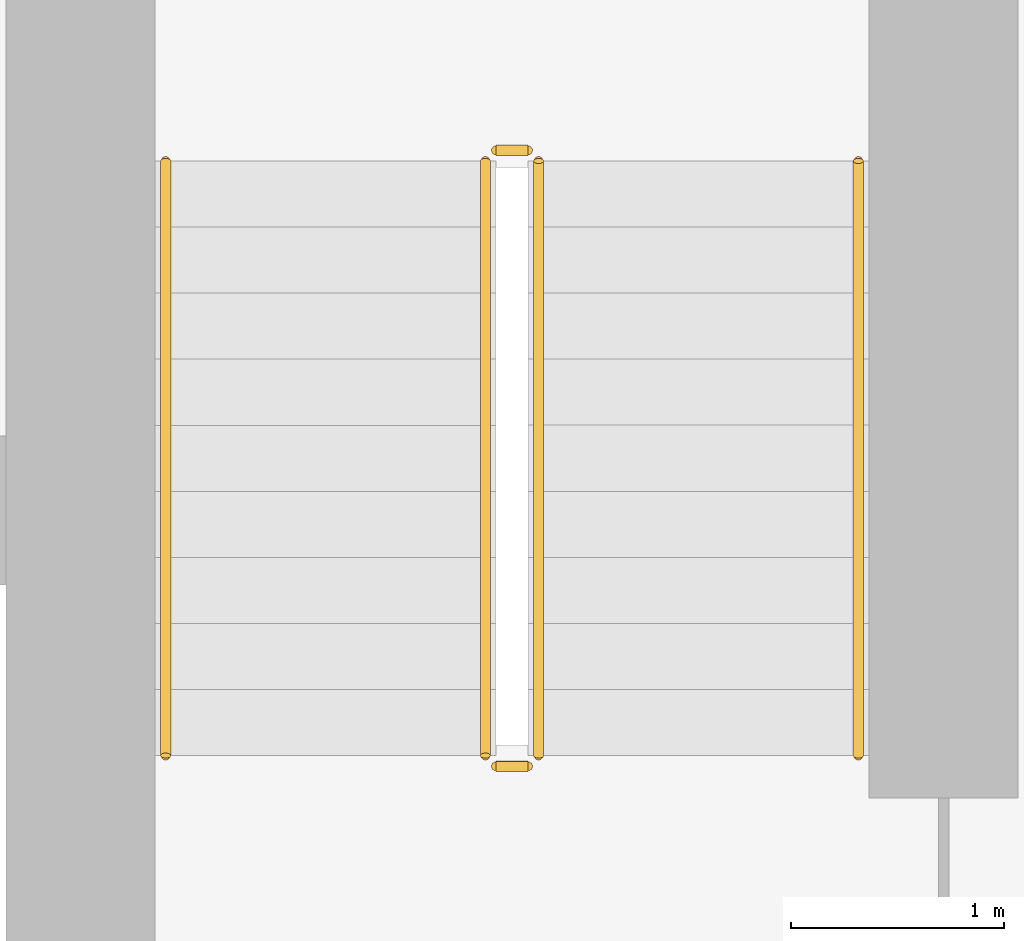
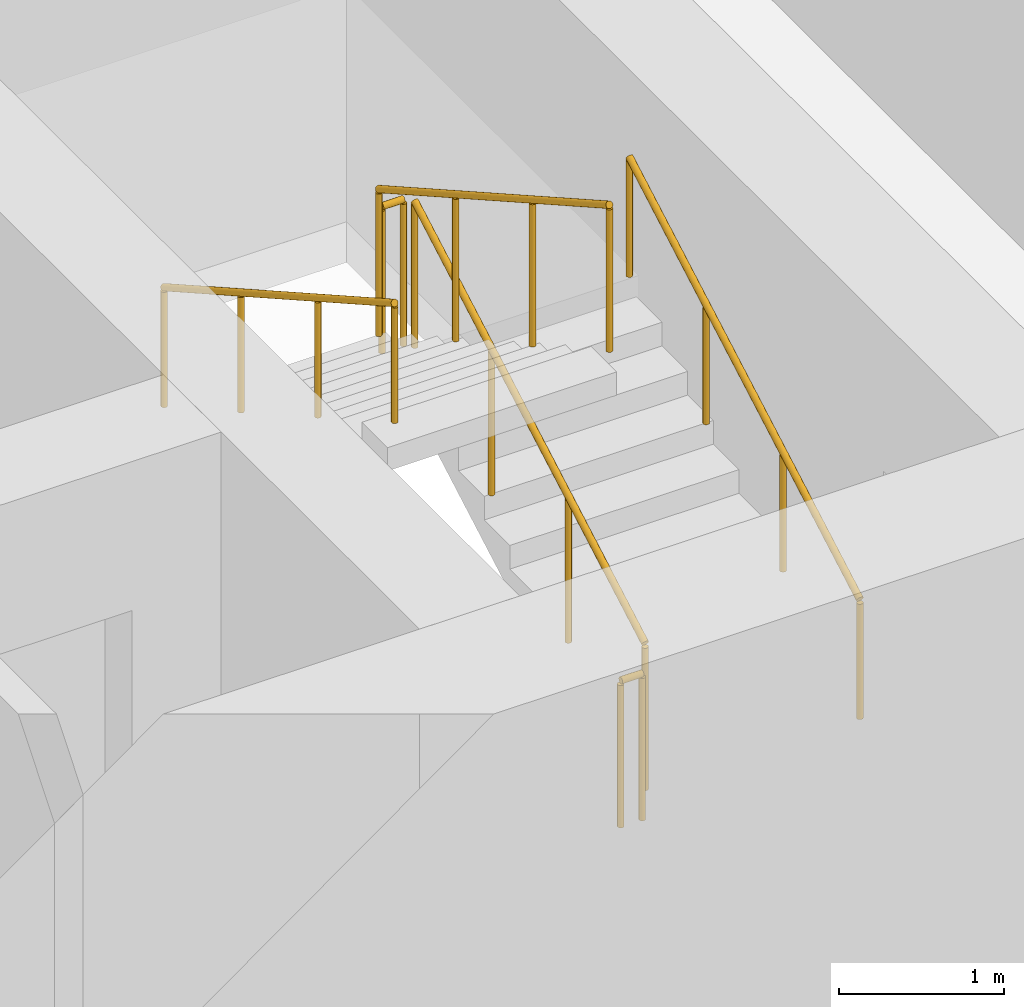
# One storey, part 19 of 21: 6 railings.
"""IFC4 building model written with IfcOpenShell, lengths in metres."""

from ifc_helpers import new_model, si_unit, direction, frame, origin, origin_2d, place, context, subcontext, project, spatial, circle, extrude, material, type_object, element, save


model = new_model("IFC4")

# Units and contexts
model_context = context("Model", 3, precision=1e-05, world=origin(), true_north=direction((0.0, 1.0)))
body_context = subcontext(model_context, "Body", "Model", "MODEL_VIEW")
ifc_project = project(units=[si_unit("LENGTHUNIT", "METRE"), si_unit("AREAUNIT", "SQUARE_METRE"), si_unit("VOLUMEUNIT", "CUBIC_METRE"), si_unit("PLANEANGLEUNIT", "RADIAN"), si_unit("MASSUNIT", "GRAM", prefix="KILO")], contexts=[model_context])

# Site, building, storey
site_placement = place(None, origin())
site = spatial("IfcSite", under=ifc_project, at=site_placement, CompositionType="ELEMENT")
building_placement = place(site_placement, origin())
building = spatial("IfcBuilding", under=site, at=building_placement, Name="Madar Terraces", CompositionType="ELEMENT")
storey_placement = place(building_placement, frame((0.0, 0.0, 46.89990234375)))
storey = spatial("IfcBuildingStorey", under=building, at=storey_placement, Name="L11", CompositionType="ELEMENT", Elevation=46.89990234375)

# Railings
ifc_material_1 = material(Name="Stainless steel railing", Category="steel")
railing_type_1 = type_object("IfcRailingType", Name="Stair guard 1100", PredefinedType="GUARDRAIL", material=ifc_material_1)
railing_1_placement = place(storey_placement, frame((41.449951171875, 17.60009765625, 0.175048828125)))
element("IfcRailing", 1, at=railing_1_placement, inside=storey, type_object=railing_type_1, Name="L11 ST3 stair guard 1", PredefinedType="GUARDRAIL", context=body_context, shape_type="SweptSolid", body=[
    extrude(circle(Radius=0.02392578125, at=origin_2d()), frame((0.0, 0.0, 1.076171875), z_axis=(0.0, 0.870815363784, 0.491610213684), x_axis=(-1.0, 0.0, 0.0)), (0.0, 0.0, 1.0), 3.20361328125),
    extrude(circle(Radius=0.02099609375, at=origin_2d()), origin(), (0.0, 0.0, 1.0), 1.052001953125),
    extrude(circle(Radius=0.02099609375, at=origin_2d()), frame((0.0, 0.929931640625, 0.52490234375)), (0.0, 0.0, 1.0), 1.052001953125),
    extrude(circle(Radius=0.02099609375, at=origin_2d()), frame((0.0, 1.85986328125, 1.050048828125)), (0.0, 0.0, 1.0), 1.052001953125),
    extrude(circle(Radius=0.02099609375, at=origin_2d()), frame((0.0, 2.789794921875, 1.574951171875)), (0.0, 0.0, 1.0), 1.052001953125),
])
railing_2_placement = place(storey_placement, frame((41.39990234375, 20.43994140625, 1.75)))
element("IfcRailing", 2, at=railing_2_placement, inside=storey, type_object=railing_type_1, Name="L11 ST3 stair guard 2", PredefinedType="GUARDRAIL", context=body_context, shape_type="SweptSolid", body=[
    extrude(circle(Radius=0.02392578125, at=origin_2d()), frame((0.0, 0.0, 1.076171875), z_axis=(-1.0, 0.0, 0.0), x_axis=(0.0, -1.0, 0.0)), (0.0, 0.0, 1.0), 0.14990234375),
    extrude(circle(Radius=0.02099609375, at=origin_2d()), origin(), (0.0, 0.0, 1.0), 1.052001953125),
    extrude(circle(Radius=0.02099609375, at=origin_2d()), frame((-0.14990234375, 0.0, 0.0)), (0.0, 0.0, 1.0), 1.052001953125),
])
railing_3_placement = place(storey_placement, frame((41.199951171875, 20.389892578125, 1.925048828125)))
element("IfcRailing", 3, at=railing_3_placement, inside=storey, type_object=railing_type_1, Name="L11 ST3 stair guard 3", PredefinedType="GUARDRAIL", context=body_context, shape_type="SweptSolid", body=[
    extrude(circle(Radius=0.02392578125, at=origin_2d()), frame((0.0, 0.0, 1.076171875), z_axis=(0.0, -0.870815363784, 0.491610213684), x_axis=(1.0, 0.0, 0.0)), (0.0, 0.0, 1.0), 3.20361328125),
    extrude(circle(Radius=0.02099609375, at=origin_2d()), origin(), (0.0, 0.0, 1.0), 1.052001953125),
    extrude(circle(Radius=0.02099609375, at=origin_2d()), frame((0.0, -0.929931640625, 0.52490234375)), (0.0, 0.0, 1.0), 1.052001953125),
    extrude(circle(Radius=0.02099609375, at=origin_2d()), frame((0.0, -1.85986328125, 1.050048828125)), (0.0, 0.0, 1.0), 1.052001953125),
    extrude(circle(Radius=0.02099609375, at=origin_2d()), frame((0.0, -2.789794921875, 1.574951171875)), (0.0, 0.0, 1.0), 1.052001953125),
])
railing_4_placement = place(storey_placement, frame((41.39990234375, 17.550048828125, 0.0)))
element("IfcRailing", 4, at=railing_4_placement, inside=storey, type_object=railing_type_1, Name="L11 ST3 stair guard 4", PredefinedType="GUARDRAIL", context=body_context, shape_type="SweptSolid", body=[
    extrude(circle(Radius=0.02392578125, at=origin_2d()), frame((0.0, 0.0, 1.076171875), z_axis=(-1.0, 0.0, 0.0), x_axis=(0.0, -1.0, 0.0)), (0.0, 0.0, 1.0), 0.14990234375),
    extrude(circle(Radius=0.02099609375, at=origin_2d()), origin(), (0.0, 0.0, 1.0), 1.052001953125),
    extrude(circle(Radius=0.02099609375, at=origin_2d()), frame((-0.14990234375, 0.0, 0.0)), (0.0, 0.0, 1.0), 1.052001953125),
])
ifc_material_2 = material(Name="Stainless steel railing", Category="steel")
railing_type_2 = type_object("IfcRailingType", Name="Stair handrail 900", PredefinedType="HANDRAIL", material=ifc_material_2)
railing_5_placement = place(storey_placement, frame((42.949951171875, 17.60009765625, 0.175048828125)))
element("IfcRailing", 5, at=railing_5_placement, inside=storey, type_object=railing_type_2, Name="L11 ST3 stair handrail 1", PredefinedType="HANDRAIL", context=body_context, shape_type="SweptSolid", body=[
    extrude(circle(Radius=0.02392578125, at=origin_2d()), frame((0.0, 0.0, 0.8759765625), z_axis=(0.0, 0.870815363784, 0.491610213684), x_axis=(-1.0, 0.0, 0.0)), (0.0, 0.0, 1.0), 3.20361328125),
    extrude(circle(Radius=0.02099609375, at=origin_2d()), origin(), (0.0, 0.0, 1.0), 0.851806640625),
    extrude(circle(Radius=0.02099609375, at=origin_2d()), frame((0.0, 0.929931640625, 0.52490234375)), (0.0, 0.0, 1.0), 0.851806640625),
    extrude(circle(Radius=0.02099609375, at=origin_2d()), frame((0.0, 1.85986328125, 1.050048828125)), (0.0, 0.0, 1.0), 0.851806640625),
    extrude(circle(Radius=0.02099609375, at=origin_2d()), frame((0.0, 2.789794921875, 1.574951171875)), (0.0, 0.0, 1.0), 0.851806640625),
])
railing_6_placement = place(storey_placement, frame((39.699951171875, 20.389892578125, 1.925048828125)))
element("IfcRailing", 6, at=railing_6_placement, inside=storey, type_object=railing_type_2, Name="L11 ST3 stair handrail 2", PredefinedType="HANDRAIL", context=body_context, shape_type="SweptSolid", body=[
    extrude(circle(Radius=0.02392578125, at=origin_2d()), frame((0.0, 0.0, 0.8759765625), z_axis=(0.0, -0.870815363784, 0.491610213684), x_axis=(1.0, 0.0, 0.0)), (0.0, 0.0, 1.0), 3.20361328125),
    extrude(circle(Radius=0.02099609375, at=origin_2d()), origin(), (0.0, 0.0, 1.0), 0.851806640625),
    extrude(circle(Radius=0.02099609375, at=origin_2d()), frame((0.0, -0.929931640625, 0.52490234375)), (0.0, 0.0, 1.0), 0.851806640625),
    extrude(circle(Radius=0.02099609375, at=origin_2d()), frame((0.0, -1.85986328125, 1.050048828125)), (0.0, 0.0, 1.0), 0.851806640625),
    extrude(circle(Radius=0.02099609375, at=origin_2d()), frame((0.0, -2.789794921875, 1.574951171875)), (0.0, 0.0, 1.0), 0.851806640625),
])

save(model, "model.ifc")
